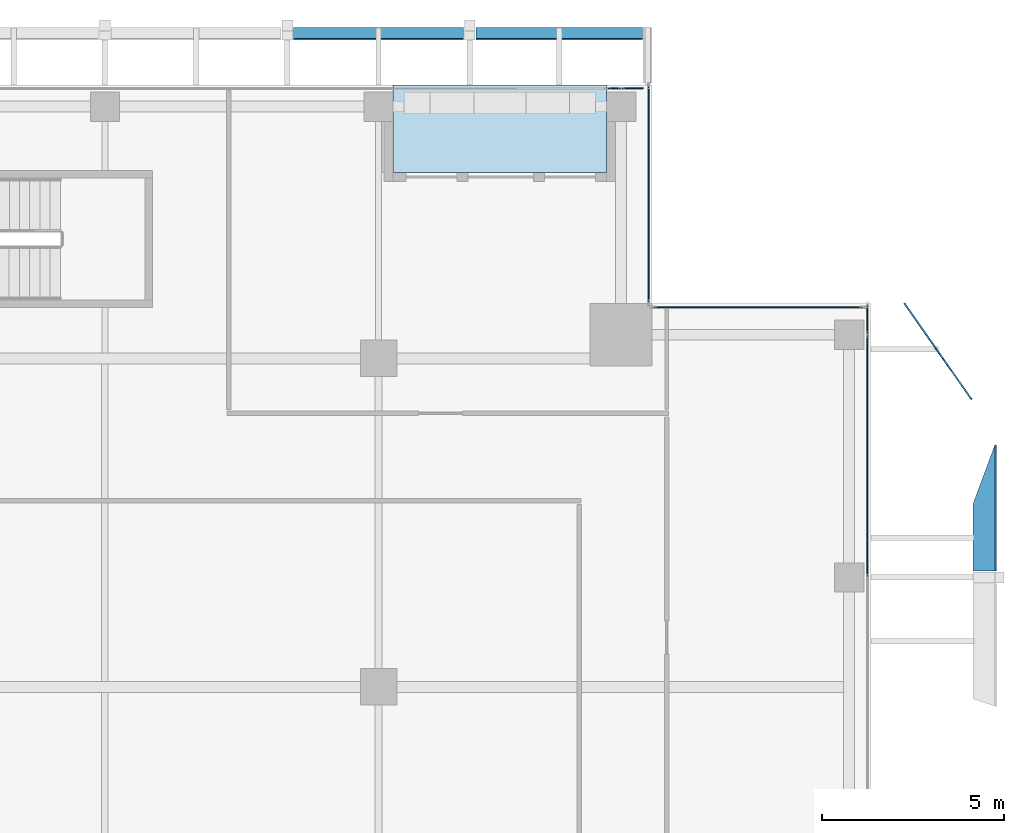
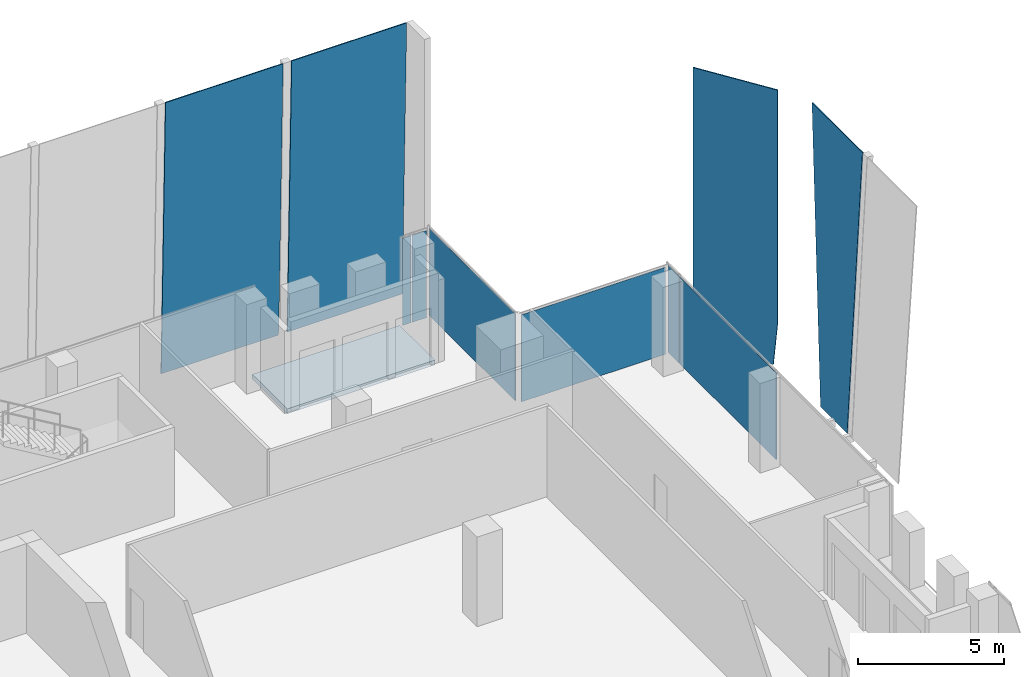
# One storey, part 25 of 32: 10 plates, 1 slab, 4 elements without a shape of their own.
"""IFC4 building model written with IfcOpenShell, lengths in metres."""

from ifc_helpers import new_model, si_unit, direction, frame, origin, origin_2d, place, context, subcontext, project, spatial, polyline, rectangle, outline, extrude, source, transform, mapped, material, layer, layer_set, type_object, element, aggregate, save


model = new_model("IFC4")

# Units and contexts
model_context = context("Model", 3, precision=1e-05, world=origin(), true_north=direction((0.0, 1.0)))
body_context = subcontext(model_context, "Body", "Model", "MODEL_VIEW")
ifc_project = project(units=[si_unit("LENGTHUNIT", "METRE"), si_unit("AREAUNIT", "SQUARE_METRE"), si_unit("VOLUMEUNIT", "CUBIC_METRE"), si_unit("PLANEANGLEUNIT", "RADIAN"), si_unit("MASSUNIT", "GRAM", prefix="KILO")], contexts=[model_context])

# Site, building, storey
site_placement = place(None, origin())
site = spatial("IfcSite", under=ifc_project, at=site_placement, CompositionType="ELEMENT")
building_placement = place(site_placement, origin())
building = spatial("IfcBuilding", under=site, at=building_placement, Name="Khomas Fold Tower", CompositionType="ELEMENT")
storey_placement = place(building_placement, frame((0.0, 0.0, 318.199951171875)))
storey = spatial("IfcBuildingStorey", under=building, at=storey_placement, Name="L72", CompositionType="ELEMENT", Elevation=318.199951171875)

# Plates
ifc_material_1 = material(Name="Clear laminated glass", Category="glass")
ifc_layer_1 = layer(ifc_material_1, 0.0400390625)
ifc_layer_set_1 = layer_set([ifc_layer_1], Name="Clear laminated glass")
plate_type_1 = type_object("IfcPlateType", Name="SK-Clear laminated glass leaf", PredefinedType="SHEET", material=ifc_layer_set_1)
plate_1_placement = place(storey_placement, frame((51.39208984375, 38.13427734375, 11.550048828125), z_axis=(-0.99862882819, 0.0, 0.052349436554), x_axis=(-0.051833315399, -0.140075354759, -0.98878319282)))
element("IfcPlate", 1, at=plate_1_placement, inside=storey, type_object=plate_type_1, Name="OUTER SKIN glass L72 EG103-6", PredefinedType="SHEET", context=body_context, shape_type="SweptSolid", body=[
    extrude(outline(polyline([(0.0, 0.0), (11.681073173564323, 2.220446049250313e-16), (11.937148431482672, 1.810101234159861), (0.48527082129558957, 3.4301998547981336), (0.0, 0.0)])), origin(), (0.0, 0.0, -1.0), 0.0400390625),
])
plate_2_placement = place(storey_placement, frame((50.646484375, 39.50048828125, 0.0), z_axis=(-0.819677158387, -0.572825764057, 7.084268e-06), x_axis=(0.05215829602, -0.074622881345, 0.995846844518)))
element("IfcPlate", 2, at=plate_2_placement, inside=storey, type_object=plate_type_1, Name="OUTER SKIN glass L72 EG104-7", PredefinedType="SHEET", context=body_context, shape_type="SweptSolid", body=[
    extrude(outline(polyline([(0.0, 0.0), (1.7482274583999375, 0.0), (11.51657084683648, 0.8930608806519482), (11.224460170496812, 4.088181677986858), (-0.277619509017957, 3.0366157164466365), (0.0, 0.0)])), origin(), (0.0, 0.0, -1.0), 0.0400390625),
])
plate_3_placement = place(storey_placement, frame((32.169921875, 49.5654296875, 0.0009765625), z_axis=(0.0, 0.999657230839, 0.026180543005), x_axis=(1.0, 0.0, 0.0)))
element("IfcPlate", 3, at=plate_3_placement, inside=storey, type_object=plate_type_1, Name="OUTER SKIN glass L72 N9", PredefinedType="SHEET", context=body_context, shape_type="SweptSolid", body=[
    extrude(outline(polyline([(0.0, 0.0), (4.66015625, 0.0), (4.66015625, -11.554009186164079), (0.0, -11.554009186164079), (0.0, 0.0)])), origin(), (0.0, 0.0, -1.0), 0.0400390625),
])
plate_4_placement = place(storey_placement, frame((37.169921875, 49.5654296875, 0.0009765625), z_axis=(0.0, 0.999657230839, 0.026180543005), x_axis=(1.0, 0.0, 0.0)))
element("IfcPlate", 4, at=plate_4_placement, inside=storey, type_object=plate_type_1, Name="OUTER SKIN glass L72 N11", PredefinedType="SHEET", context=body_context, shape_type="SweptSolid", body=[
    extrude(outline(polyline([(0.0, 0.0), (4.56005859375, 0.0), (4.56005859375, -11.554009186164079), (0.0, -11.554009186164079), (0.0, 0.0)])), origin(), (0.0, 0.0, -1.0), 0.0400390625),
])

# Curtain wall, plate
ifc_material_2 = material(Name="Aluminium framed double glazing", Category="aluminium")
curtain_wall_type = type_object("IfcCurtainWallType", Name="SK-Unitised clear-glass wall, upper floors CW3", PredefinedType="NOTDEFINED", material=ifc_material_2)
curtain_wall_1_placement = place(storey_placement, origin())
curtain_wall_1 = element("IfcCurtainWall", 5, at=curtain_wall_1_placement, inside=storey, type_object=curtain_wall_type, Name="CW3 run L72 06-0", PredefinedType="NOTDEFINED")
ifc_material_3 = material(Name="Clear double glazed unit")
ifc_layer_2 = layer(ifc_material_3, 0.028076171875)
ifc_layer_set_2 = layer_set([ifc_layer_2], Name="Clear double glazed unit")
plate_type_2 = type_object("IfcPlateType", Name="SK-Unitised clear-glass wall, upper floors glass panel CW3-P", PredefinedType="CURTAIN_PANEL", material=ifc_layer_set_2)
shared_shape_1 = source(origin(), body_context, "Body", "SweptSolid", [
    extrude(rectangle(XDim=0.574951171875, YDim=0.028076171875, at=origin_2d()), origin(), (0.0, 0.0, 1.0), 3.64990234375),
])
plate_5_placement = place(storey_placement, frame((41.46240234375, 47.89990234375, 0.0), z_axis=(0.0, 0.0, 1.0), x_axis=(-1.0, 0.0, 0.0)))
plate_5 = element("IfcPlate", 6, at=plate_5_placement, type_object=plate_type_2, Name="CW3 glass panel 1", PredefinedType="CURTAIN_PANEL", context=body_context, shape_type="MappedRepresentation", body=[
    mapped(shared_shape_1, transform((0.0, 0.0, 0.0))),
])

# Curtain wall, plates
curtain_wall_2_placement = place(storey_placement, origin())
curtain_wall_2 = element("IfcCurtainWall", 7, at=curtain_wall_2_placement, inside=storey, type_object=curtain_wall_type, Name="CW3 run L72 03-1", PredefinedType="NOTDEFINED")
shared_shape_2 = source(origin(), body_context, "Body", "SweptSolid", [
    extrude(rectangle(XDim=6.60009765625, YDim=0.028076171875, at=origin_2d()), origin(), (0.0, 0.0, 1.0), 3.64990234375),
])
plate_6_placement = place(storey_placement, frame((47.89990234375, 37.824951171875, 0.0), z_axis=(0.0, 0.0, 1.0), x_axis=(0.0, 1.0, 0.0)))
plate_6 = element("IfcPlate", 8, at=plate_6_placement, type_object=plate_type_2, Name="CW3 glass panel 3", PredefinedType="CURTAIN_PANEL", context=body_context, shape_type="MappedRepresentation", body=[
    mapped(shared_shape_2, transform((0.0, 0.0, 0.0))),
])
shared_shape_3 = source(origin(), body_context, "Body", "SweptSolid", [
    extrude(rectangle(XDim=0.77490234375, YDim=0.028076171875, at=origin_2d()), origin(), (0.0, 0.0, 1.0), 3.64990234375),
])
plate_7_placement = place(storey_placement, frame((47.89990234375, 41.5625, 0.0), z_axis=(0.0, 0.0, 1.0), x_axis=(0.0, 1.0, 0.0)))
plate_7 = element("IfcPlate", 9, at=plate_7_placement, type_object=plate_type_2, Name="CW3 glass panel 4", PredefinedType="CURTAIN_PANEL", context=body_context, shape_type="MappedRepresentation", body=[
    mapped(shared_shape_3, transform((0.0, 0.0, 0.0))),
])
aggregate(curtain_wall_2, [plate_6, plate_7])

# Curtain wall, plate
curtain_wall_3_placement = place(storey_placement, origin())
curtain_wall_3 = element("IfcCurtainWall", 10, at=curtain_wall_3_placement, inside=storey, type_object=curtain_wall_type, Name="CW3 corner return L72 04", PredefinedType="NOTDEFINED")
shared_shape_4 = source(origin(), body_context, "Body", "SweptSolid", [
    extrude(rectangle(XDim=5.699951171875, YDim=0.028076171875, at=origin_2d()), origin(), (0.0, 0.0, 1.0), 3.64990234375),
])
plate_8_placement = place(storey_placement, frame((44.89990234375, 41.89990234375, 0.0), z_axis=(0.0, 0.0, 1.0), x_axis=(-1.0, 0.0, 0.0)))
plate_8 = element("IfcPlate", 11, at=plate_8_placement, type_object=plate_type_2, Name="CW3 glass panel 1", PredefinedType="CURTAIN_PANEL", context=body_context, shape_type="MappedRepresentation", body=[
    mapped(shared_shape_4, transform((0.0, 0.0, 0.0))),
])
aggregate(curtain_wall_3, [plate_8])

curtain_wall_4_placement = place(storey_placement, origin())
curtain_wall_4 = element("IfcCurtainWall", 12, at=curtain_wall_4_placement, inside=storey, type_object=curtain_wall_type, Name="CW3 corner return L72 05", PredefinedType="NOTDEFINED")
shared_shape_5 = source(origin(), body_context, "Body", "SweptSolid", [
    extrude(rectangle(XDim=5.89990234375, YDim=0.028076171875, at=origin_2d()), origin(), (0.0, 0.0, 1.0), 3.64990234375),
])
plate_9_placement = place(storey_placement, frame((41.89990234375, 45.0, 0.0), z_axis=(0.0, 0.0, 1.0), x_axis=(0.0, 1.0, 0.0)))
plate_9 = element("IfcPlate", 13, at=plate_9_placement, type_object=plate_type_2, Name="CW3 glass panel 1", PredefinedType="CURTAIN_PANEL", context=body_context, shape_type="MappedRepresentation", body=[
    mapped(shared_shape_5, transform((0.0, 0.0, 0.0))),
])
aggregate(curtain_wall_4, [plate_9])

# Plate
shared_shape_6 = source(origin(), body_context, "Body", "SweptSolid", [
    extrude(rectangle(XDim=0.324951171875, YDim=0.028076171875, at=origin_2d()), origin(), (0.0, 0.0, 1.0), 3.64990234375),
])
plate_10_placement = place(storey_placement, frame((40.96240234375, 47.89990234375, 0.0), z_axis=(0.0, 0.0, 1.0), x_axis=(-1.0, 0.0, 0.0)))
plate_10 = element("IfcPlate", 14, at=plate_10_placement, type_object=plate_type_2, Name="CW3 glass panel 2", PredefinedType="CURTAIN_PANEL", context=body_context, shape_type="MappedRepresentation", body=[
    mapped(shared_shape_6, transform((0.0, 0.0, 0.0))),
])

aggregate(curtain_wall_1, [plate_5, plate_10])

# Slab
ifc_material_4 = material(Name="Concrete C40/50", Category="concrete")
ifc_layer_3 = layer(ifc_material_4, 0.205078125)
ifc_layer_set_3 = layer_set([ifc_layer_3], Name="Concrete C40/50")
slab_type = type_object("IfcSlabType", Name="BL-Balcony deck 205", PredefinedType="FLOOR", material=ifc_layer_set_3)
shared_shape_7 = source(origin(), body_context, "Body", "SweptSolid", [
    extrude(outline(polyline([(34.89990234375, 45.60009765625), (40.75, 45.60009765625), (40.75, 48.0), (34.89990234375, 48.0), (34.89990234375, 45.60009765625)])), origin(), (0.0, 0.0, 1.0), 0.205078125),
])
slab_placement = place(storey_placement, frame((0.0, 0.0, -0.25)))
element("IfcSlab", 15, at=slab_placement, inside=storey, type_object=slab_type, Name="Balcony deck BAL-L72-N4", PredefinedType="FLOOR", context=body_context, shape_type="MappedRepresentation", body=[
    mapped(shared_shape_7, transform((0.0, 0.0, 0.0))),
])

save(model, "model.ifc")
